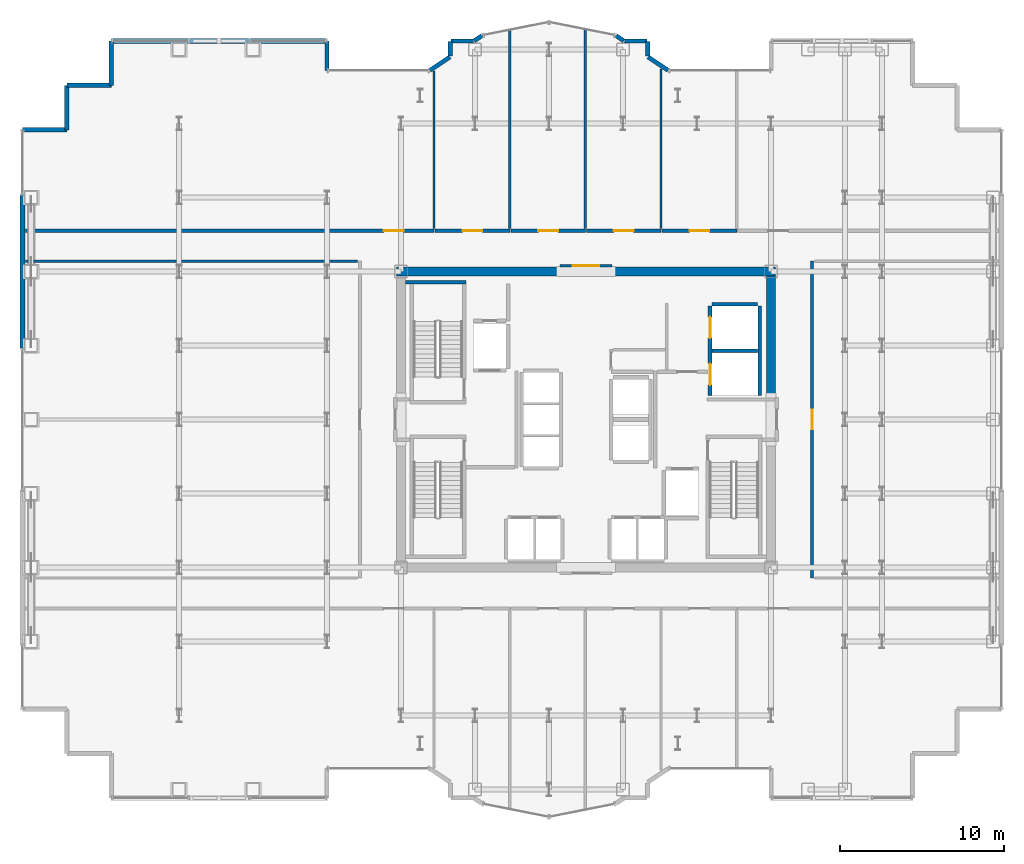
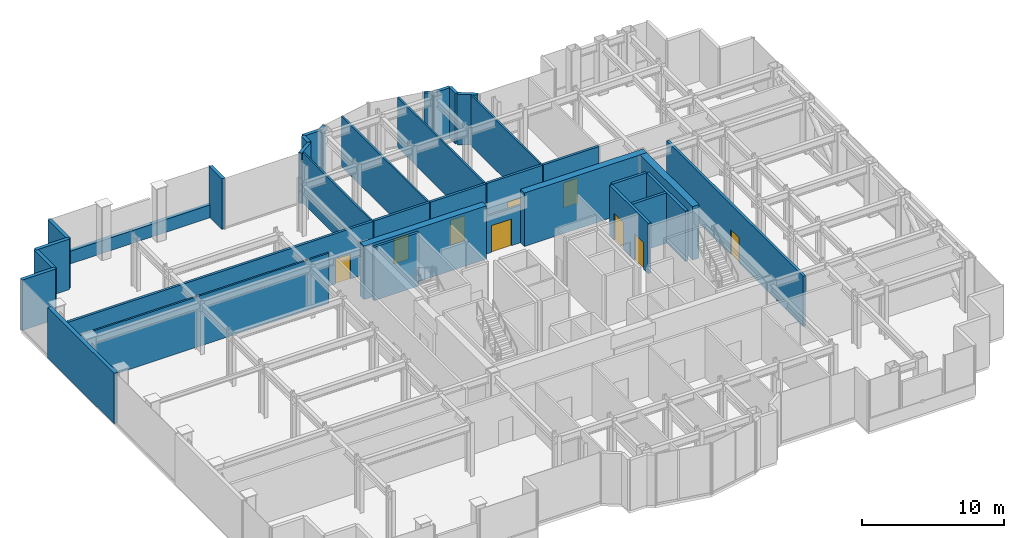
# One storey, part 22 of 26: 35 walls, 9 doors, 9 openings.
"""IFC4 building model written with IfcOpenShell, lengths in metres."""

from ifc_helpers import new_model, si_unit, direction, frame, frame_2d, origin, place, context, subcontext, project, spatial, rectangle, extrude, source, transform, mapped, material, layer, layer_set, type_object, element, fill, save


model = new_model("IFC4")

# Units and contexts
model_context = context("Model", 3, precision=1e-05, world=origin(), true_north=direction((0.0, 1.0)))
body_context = subcontext(model_context, "Body", "Model", "MODEL_VIEW")
ifc_project = project(units=[si_unit("LENGTHUNIT", "METRE"), si_unit("AREAUNIT", "SQUARE_METRE"), si_unit("VOLUMEUNIT", "CUBIC_METRE"), si_unit("PLANEANGLEUNIT", "RADIAN"), si_unit("MASSUNIT", "GRAM", prefix="KILO")], contexts=[model_context])

# Site, building, storey
site_placement = place(None, origin())
site = spatial("IfcSite", under=ifc_project, at=site_placement, CompositionType="ELEMENT")
building_placement = place(site_placement, origin())
building = spatial("IfcBuilding", under=site, at=building_placement, Name="Nefas-Gora Pilgrimage Tower", CompositionType="ELEMENT")
storey_placement = place(building_placement, frame((0.0, 0.0, 202.0)))
storey = spatial("IfcBuildingStorey", under=building, at=storey_placement, Name="L50", CompositionType="ELEMENT", Elevation=202.0)

# Walls
ifc_material_1 = material(Name="Concrete C60/75", Category="concrete")
ifc_layer_1 = layer(ifc_material_1, 0.550048828125)
ifc_layer_set_1 = layer_set([ifc_layer_1], Name="Concrete C60/75")
wall_type_1 = type_object("IfcWallType", Name="SW-CORE-550", PredefinedType="SHEAR", material=ifc_layer_set_1)
shared_shape_1 = source(origin(), body_context, "Body", "SweptSolid", [
    extrude(rectangle(XDim=9.974853515625, YDim=0.550048828125, at=frame_2d((4.9873046875, 0.0))), origin(), (0.0, 0.0, 1.0), 4.60009765625),
])
for number, where, z_axis, x_axis, name in (
    (1, (-11.52490234375, 9.0, 0.0), (0.0, 0.0, 1.0), (1.0, 0.0, 0.0), "L50 Core Shear Wall N-West"),
    (2, (1.550048828125, 9.0, 0.0), (0.0, 0.0, 1.0), (1.0, 0.0, 0.0), "L50 Core Shear Wall N-East"),
):
    element("IfcWall", number, at=place(storey_placement, frame(where, z_axis=z_axis, x_axis=x_axis)), inside=storey, type_object=wall_type_1, Name=name, PredefinedType="SHEAR", context=body_context, shape_type="MappedRepresentation", body=[
        mapped(shared_shape_1, transform((0.0, 0.0, 0.0), x_axis=(1.0, 0.0, 0.0), y_axis=(0.0, 1.0, 0.0), z_axis=(0.0, 0.0, 1.0), scale=1.0)),
    ])
shared_shape_2 = source(origin(), body_context, "Body", "SweptSolid", [
    extrude(rectangle(XDim=7.375, YDim=0.550048828125, at=frame_2d((3.6875, 0.0))), origin(), (0.0, 0.0, 1.0), 4.60009765625),
])
wall_1_placement = place(storey_placement, frame((11.25, 1.35009765625, 0.0), z_axis=(0.0, 0.0, 1.0), x_axis=(0.0, 1.0, 0.0)))
element("IfcWall", 3, at=wall_1_placement, inside=storey, type_object=wall_type_1, Name="L50 Core Shear Wall E-North", PredefinedType="SHEAR", context=body_context, shape_type="MappedRepresentation", body=[
    mapped(shared_shape_2, transform((0.0, 0.0, 0.0), x_axis=(1.0, 0.0, 0.0), y_axis=(0.0, 1.0, 0.0), z_axis=(0.0, 0.0, 1.0), scale=1.0)),
])
ifc_material_2 = material(Name="Precast concrete C45/55", Category="concrete")
ifc_layer_2 = layer(ifc_material_2, 0.239990234375)
ifc_layer_set_2 = layer_set([ifc_layer_2], Name="Precast concrete C45/55")
wall_type_2 = type_object("IfcWallType", Name="EW-SERR-240", PredefinedType="SHEAR", material=ifc_layer_set_2)
shared_shape_3 = source(origin(), body_context, "Body", "SweptSolid", [
    extrude(rectangle(XDim=9.3798828125, YDim=0.300048828125, at=frame_2d((4.68994140625, 0.0))), origin(), (0.0, 0.0, 1.0), 4.35009765625),
])
wall_2_placement = place(storey_placement, frame((-34.27001953125, 4.31005859375, 0.0), z_axis=(0.0, 0.0, 1.0), x_axis=(0.0, 1.0, 0.0)))
element("IfcWall", 4, at=wall_2_placement, inside=storey, type_object=wall_type_2, Name="L50 Belt-Truss Precast Shear Cladding 2", PredefinedType="SHEAR", context=body_context, shape_type="MappedRepresentation", body=[
    mapped(shared_shape_3, transform((0.0, 0.0, 0.0), x_axis=(1.0, 0.0, 0.0), y_axis=(0.0, 1.0, 0.0), z_axis=(0.0, 0.0, 1.0), scale=1.0)),
])
ifc_material_3 = material(Name="Precast concrete C40/50", Category="concrete")
ifc_layer_3 = layer(ifc_material_3, 0.260009765625)
ifc_layer_set_3 = layer_set([ifc_layer_3], Name="Precast concrete C40/50")
wall_type_3 = type_object("IfcWallType", Name="EW-PORTAL-260", PredefinedType="SOLIDWALL", material=ifc_layer_set_3)
shared_shape_4 = source(origin(), body_context, "Body", "SweptSolid", [
    extrude(rectangle(XDim=1.800048828125, YDim=0.260009765625, at=frame_2d((0.89990234375, 0.0))), origin(), (0.0, 0.0, 1.0), 4.35009765625),
])
wall_3_placement = place(storey_placement, frame((-15.75, 21.219970703125, 0.0), z_axis=(0.0, 0.0, 1.0), x_axis=(0.0, 1.0, 0.0)))
element("IfcWall", 5, at=wall_3_placement, inside=storey, type_object=wall_type_3, Name="L50 Lobe Shoulder Precast Spandrel Pier 25", PredefinedType="SOLIDWALL", context=body_context, shape_type="MappedRepresentation", body=[
    mapped(shared_shape_4, transform((0.0, 0.0, 0.0), x_axis=(1.0, 0.0, 0.0), y_axis=(0.0, 1.0, 0.0), z_axis=(0.0, 0.0, 1.0), scale=1.0)),
])
ifc_layer_4 = layer(ifc_material_2, 0.280029296875)
ifc_layer_set_4 = layer_set([ifc_layer_4], Name="Precast concrete C45/55")
wall_type_4 = type_object("IfcWallType", Name="EW-PLANT-280", PredefinedType="SOLIDWALL", material=ifc_layer_set_4)
shared_shape_5 = source(origin(), body_context, "Body", "SweptSolid", [
    extrude(rectangle(XDim=2.699951171875, YDim=0.280029296875, at=frame_2d((1.35009765625, 0.0))), origin(), (0.0, 0.0, 1.0), 4.35009765625),
])
for number, where, z_axis, x_axis, name in (
    (6, (-28.8701171875, 23.02001953125, 0.0), (0.0, 0.0, 1.0), (0.0, -1.0, 0.0), "L50 Serrated Corner Shear Pier Wall 27"),
    (7, (-28.8701171875, 20.320068359375, 0.0), (0.0, 0.0, 1.0), (-1.0, 0.0, 0.0), "L50 Serrated Corner Shear Pier Wall 28"),
    (8, (-31.570068359375, 20.320068359375, 0.0), (0.0, 0.0, 1.0), (0.0, -1.0, 0.0), "L50 Serrated Corner Shear Pier Wall 29"),
    (9, (-31.570068359375, 17.6201171875, 0.0), (0.0, 0.0, 1.0), (-1.0, 0.0, 0.0), "L50 Serrated Corner Shear Pier Wall 30"),
):
    element("IfcWall", number, at=place(storey_placement, frame(where, z_axis=z_axis, x_axis=x_axis)), inside=storey, type_object=wall_type_4, Name=name, PredefinedType="SOLIDWALL", context=body_context, shape_type="MappedRepresentation", body=[
        mapped(shared_shape_5, transform((0.0, 0.0, 0.0), x_axis=(1.0, 0.0, 0.0), y_axis=(0.0, 1.0, 0.0), z_axis=(0.0, 0.0, 1.0), scale=1.0)),
    ])
shared_shape_6 = source(origin(), body_context, "Body", "SweptSolid", [
    extrude(rectangle(XDim=1.468994140625, YDim=0.260009765625, at=frame_2d((0.734375, 0.0))), origin(), (0.0, 0.0, 1.0), 4.35009765625),
])
for number, where, z_axis, x_axis, name in (
    (10, (4.99462890625, 21.235595703125, 0.0), (0.0, 0.0, 1.0), (-0.831461760506, 0.555581983884, 0.0), "L50 Lobe Shoulder Precast Spandrel Pier 17"),
    (11, (-8.273193359375, 22.0517578125, 0.0), (0.0, 0.0, 1.0), (-0.831461760506, -0.555581983884, 0.0), "L50 Lobe Shoulder Precast Spandrel Pier 24"),
):
    element("IfcWall", number, at=place(storey_placement, frame(where, z_axis=z_axis, x_axis=x_axis)), inside=storey, type_object=wall_type_3, Name=name, PredefinedType="SOLIDWALL", context=body_context, shape_type="MappedRepresentation", body=[
        mapped(shared_shape_6, transform((0.0, 0.0, 0.0), x_axis=(1.0, 0.0, 0.0), y_axis=(0.0, 1.0, 0.0), z_axis=(0.0, 0.0, 1.0), scale=1.0)),
    ])
shared_shape_7 = source(origin(), body_context, "Body", "SweptSolid", [
    extrude(rectangle(XDim=0.896728515625, YDim=0.260009765625, at=frame_2d((0.4482421875, 0.0))), origin(), (0.0, 0.0, 1.0), 4.35009765625),
])
for number, where, z_axis, x_axis, name in (
    (12, (3.75, 22.09521484375, 0.0), (0.0, 0.0, 1.0), (0.0, 1.0, 0.0), "L50 Lobe Shoulder Precast Spandrel Pier 18"),
    (13, (-8.25, 22.991943359375, 0.0), (0.0, 0.0, 1.0), (0.0, -1.0, 0.0), "L50 Lobe Shoulder Precast Spandrel Pier 23"),
):
    element("IfcWall", number, at=place(storey_placement, frame(where, z_axis=z_axis, x_axis=x_axis)), inside=storey, type_object=wall_type_3, Name=name, PredefinedType="SOLIDWALL", context=body_context, shape_type="MappedRepresentation", body=[
        mapped(shared_shape_7, transform((0.0, 0.0, 0.0), x_axis=(1.0, 0.0, 0.0), y_axis=(0.0, 1.0, 0.0), z_axis=(0.0, 0.0, 1.0), scale=1.0)),
    ])
shared_shape_8 = source(origin(), body_context, "Body", "SweptSolid", [
    extrude(rectangle(XDim=1.369873046875, YDim=0.260009765625, at=frame_2d((0.68505859375, 0.0))), origin(), (0.0, 0.0, 1.0), 4.35009765625),
])
for number, where, z_axis, x_axis, name in (
    (14, (3.721923828125, 23.02001953125, 0.0), (0.0, 0.0, 1.0), (-1.0, 0.0, 0.0), "L50 Lobe Shoulder Precast Spandrel Pier 19"),
    (15, (-6.85205078125, 23.02001953125, 0.0), (0.0, 0.0, 1.0), (-1.0, 0.0, 0.0), "L50 Lobe Shoulder Precast Spandrel Pier 22"),
):
    element("IfcWall", number, at=place(storey_placement, frame(where, z_axis=z_axis, x_axis=x_axis)), inside=storey, type_object=wall_type_3, Name=name, PredefinedType="SOLIDWALL", context=body_context, shape_type="MappedRepresentation", body=[
        mapped(shared_shape_8, transform((0.0, 0.0, 0.0), x_axis=(1.0, 0.0, 0.0), y_axis=(0.0, 1.0, 0.0), z_axis=(0.0, 0.0, 1.0), scale=1.0)),
    ])
shared_shape_9 = source(origin(), body_context, "Body", "SweptSolid", [
    extrude(rectangle(XDim=0.5654296875, YDim=0.260009765625, at=frame_2d((0.28271484375, 0.0))), origin(), (0.0, 0.0, 1.0), 4.35009765625),
])
for number, where, z_axis, x_axis, name in (
    (16, (2.30078125, 23.03564453125, 0.0), (0.0, 0.0, 1.0), (-0.831651492666, 0.555297933317, 0.0), "L50 Lobe Shoulder Precast Spandrel Pier 20"),
    (17, (-6.33056640625, 23.349609375, 0.0), (0.0, 0.0, 1.0), (-0.831651492666, -0.555297933317, 0.0), "L50 Lobe Shoulder Precast Spandrel Pier 21"),
):
    element("IfcWall", number, at=place(storey_placement, frame(where, z_axis=z_axis, x_axis=x_axis)), inside=storey, type_object=wall_type_3, Name=name, PredefinedType="SOLIDWALL", context=body_context, shape_type="MappedRepresentation", body=[
        mapped(shared_shape_9, transform((0.0, 0.0, 0.0), x_axis=(1.0, 0.0, 0.0), y_axis=(0.0, 1.0, 0.0), z_axis=(0.0, 0.0, 1.0), scale=1.0)),
    ])
shared_shape_10 = source(origin(), body_context, "Body", "SweptSolid", [
    extrude(rectangle(XDim=13.1201171875, YDim=0.280029296875, at=frame_2d((6.56005859375, 0.0))), origin(), (0.0, 0.0, 1.0), 1.10009765625),
])
wall_4_placement = place(storey_placement, frame((-15.75, 23.02001953125, 0.0), z_axis=(0.0, 0.0, 1.0), x_axis=(-1.0, 0.0, 0.0)))
element("IfcWall", 18, at=wall_4_placement, inside=storey, type_object=wall_type_4, Name="L50 Plant Upstand Spandrel Wall 26", PredefinedType="SOLIDWALL", context=body_context, shape_type="MappedRepresentation", body=[
    mapped(shared_shape_10, transform((0.0, 0.0, 0.0), x_axis=(1.0, 0.0, 0.0), y_axis=(0.0, 1.0, 0.0), z_axis=(0.0, 0.0, 1.0), scale=1.0)),
])
ifc_material_4 = material(Name="Concrete C45/55", Category="concrete")
ifc_layer_5 = layer(ifc_material_4, 0.199951171875)
ifc_layer_set_5 = layer_set([ifc_layer_5], Name="Concrete C45/55")
wall_type_5 = type_object("IfcWallType", Name="IW-STAIR-200", PredefinedType="SOLIDWALL", material=ifc_layer_set_5)
shared_shape_11 = source(origin(), body_context, "Body", "SweptSolid", [
    extrude(rectangle(XDim=3.679931640625, YDim=0.199951171875, at=frame_2d((1.83984375, 0.0))), origin(), (0.0, 0.0, 1.0), 4.60009765625),
])
wall_5_placement = place(storey_placement, frame((-7.300048828125, 8.35009765625, 0.0), z_axis=(0.0, 0.0, 1.0), x_axis=(-1.0, 0.0, 0.0)))
element("IfcWall", 19, at=wall_5_placement, inside=storey, type_object=wall_type_5, Name="L50 Stairwell Shear Wall ST-01-far", PredefinedType="SOLIDWALL", context=body_context, shape_type="MappedRepresentation", body=[
    mapped(shared_shape_11, transform((0.0, 0.0, 0.0), x_axis=(1.0, 0.0, 0.0), y_axis=(0.0, 1.0, 0.0), z_axis=(0.0, 0.0, 1.0), scale=1.0)),
])

# Wall, openings, doors
ifc_material_5 = material(Name="Concrete C40/50", Category="concrete")
ifc_layer_6 = layer(ifc_material_5, 0.219970703125)
ifc_layer_set_6 = layer_set([ifc_layer_6], Name="Concrete C40/50")
wall_type_6 = type_object("IfcWallType", Name="IW-SHAFT-220", PredefinedType="SOLIDWALL", material=ifc_layer_set_6)
shared_shape_12 = source(origin(), body_context, "Body", "SweptSolid", [
    extrude(rectangle(XDim=5.449951171875, YDim=0.219970703125, at=frame_2d((2.72509765625, 0.0))), origin(), (0.0, 0.0, 1.0), 4.3349609375),
])
wall_6_placement = place(storey_placement, frame((7.5400390625, 6.89990234375, 0.0), z_axis=(0.0, 0.0, 1.0), x_axis=(0.0, -1.0, 0.0)))
wall_6 = element("IfcWall", 20, at=wall_6_placement, inside=storey, type_object=wall_type_6, Name="L50 Hoistway Wall SL-01-02-W", PredefinedType="SOLIDWALL", context=body_context, shape_type="MappedRepresentation", body=[
    mapped(shared_shape_12, transform((0.0, 0.0, 0.0), x_axis=(1.0, 0.0, 0.0), y_axis=(0.0, 1.0, 0.0), z_axis=(0.0, 0.0, 1.0), scale=1.0)),
])
opening_1_placement = place(wall_6_placement, frame((3.5, 0.0, 0.0)))
opening_1 = element("IfcOpeningElement", 21, at=opening_1_placement, cuts=wall_6, Name="Opening LD-SV", PredefinedType="OPENING", context=body_context, shape_type="SweptSolid", body=[
    extrude(rectangle(XDim=1.300048828125, YDim=2.300048828125, at=frame_2d((0.64990234375, 1.14990234375))), frame((0.0, 0.119873046875, 0.0), z_axis=(0.0, -1.0, 0.0), x_axis=(1.0, 0.0, 0.0)), (0.0, 0.0, 1.0), 0.239990234375),
])
opening_2_placement = place(wall_6_placement, frame((0.64990234375, 0.0, 0.0)))
opening_2 = element("IfcOpeningElement", 22, at=opening_2_placement, cuts=wall_6, Name="Opening LD-SV", PredefinedType="OPENING", context=body_context, shape_type="SweptSolid", body=[
    extrude(rectangle(XDim=1.300048828125, YDim=2.300048828125, at=frame_2d((0.64990234375, 1.14990234375))), frame((0.0, 0.119873046875, 0.0), z_axis=(0.0, -1.0, 0.0), x_axis=(1.0, 0.0, 0.0)), (0.0, 0.0, 1.0), 0.239990234375),
])
ifc_material_6 = material(Name="Heavy goods sliding lift landing door")
door_type_1 = type_object("IfcDoorType", Name="DR-LIFT-SERV-1300", OperationType="SLIDING_TO_RIGHT", PredefinedType="DOOR", material=ifc_material_6)
shared_shape_13 = source(origin(), body_context, "Body", "SweptSolid", [
    extrude(rectangle(XDim=1.300048828125, YDim=2.300048828125, at=frame_2d((0.64990234375, 1.14990234375))), frame((0.0, 0.02490234375, 0.0), z_axis=(0.0, -1.0, 0.0), x_axis=(1.0, 0.0, 0.0)), (0.0, 0.0, 1.0), 0.050048828125),
])
door_1_placement = place(opening_1_placement, origin())
door_1 = element("IfcDoor", 23, at=door_1_placement, inside=storey, type_object=door_type_1, Name="L50 Sliding Lift Landing Door SL-01", OperationType="SLIDING_TO_RIGHT", OverallHeight=2.300048828125, OverallWidth=1.300048828125, PredefinedType="DOOR", context=body_context, shape_type="MappedRepresentation", body=[
    mapped(shared_shape_13, transform((0.0, 0.0, 0.0), x_axis=(1.0, 0.0, 0.0), y_axis=(0.0, 1.0, 0.0), z_axis=(0.0, 0.0, 1.0), scale=1.0)),
])
fill(opening_1, door_1)
door_2_placement = place(opening_2_placement, origin())
door_2 = element("IfcDoor", 24, at=door_2_placement, inside=storey, type_object=door_type_1, Name="L50 Sliding Lift Landing Door SL-02", OperationType="SLIDING_TO_RIGHT", OverallHeight=2.300048828125, OverallWidth=1.300048828125, PredefinedType="DOOR", context=body_context, shape_type="MappedRepresentation", body=[
    mapped(shared_shape_13, transform((0.0, 0.0, 0.0), x_axis=(1.0, 0.0, 0.0), y_axis=(0.0, 1.0, 0.0), z_axis=(0.0, 0.0, 1.0), scale=1.0)),
])
fill(opening_2, door_2)

# Walls
wall_7_placement = place(storey_placement, frame((10.56005859375, 1.449951171875, 0.0), z_axis=(0.0, 0.0, 1.0), x_axis=(0.0, 1.0, 0.0)))
element("IfcWall", 25, at=wall_7_placement, inside=storey, type_object=wall_type_6, Name="L50 Hoistway Wall SL-01-02-E", PredefinedType="SOLIDWALL", context=body_context, shape_type="MappedRepresentation", body=[
    mapped(shared_shape_12, transform((0.0, 0.0, 0.0), x_axis=(1.0, 0.0, 0.0), y_axis=(0.0, 1.0, 0.0), z_axis=(0.0, 0.0, 1.0), scale=1.0)),
])
shared_shape_14 = source(origin(), body_context, "Body", "SweptSolid", [
    extrude(rectangle(XDim=2.780029296875, YDim=0.219970703125, at=frame_2d((1.39013671875, 0.0))), origin(), (0.0, 0.0, 1.0), 4.3349609375),
])
for number, where, z_axis, x_axis, name in (
    (26, (7.659912109375, 4.175048828125, 0.0), (0.0, 0.0, 1.0), (1.0, 0.0, 0.0), "L50 Hoistway Wall SL-01-02-DIV"),
    (27, (10.43994140625, 7.010009765625, 0.0), (0.0, 0.0, 1.0), (-1.0, 0.0, 0.0), "L50 Hoistway Wall SL-02-N"),
):
    element("IfcWall", number, at=place(storey_placement, frame(where, z_axis=z_axis, x_axis=x_axis)), inside=storey, type_object=wall_type_6, Name=name, PredefinedType="SOLIDWALL", context=body_context, shape_type="MappedRepresentation", body=[
        mapped(shared_shape_14, transform((0.0, 0.0, 0.0), x_axis=(1.0, 0.0, 0.0), y_axis=(0.0, 1.0, 0.0), z_axis=(0.0, 0.0, 1.0), scale=1.0)),
    ])

# Wall, opening, door
ifc_layer_7 = layer(ifc_material_5, 0.199951171875)
ifc_layer_set_7 = layer_set([ifc_layer_7], Name="Concrete C40/50")
wall_type_7 = type_object("IfcWallType", Name="IW-PLANT-200", PredefinedType="SOLIDWALL", material=ifc_layer_set_7)
shared_shape_15 = source(origin(), body_context, "Body", "SweptSolid", [
    extrude(rectangle(XDim=19.27978515625, YDim=0.199951171875, at=frame_2d((9.639892578125, 0.0))), origin(), (0.0, 0.0, 1.0), 4.3349609375),
])
wall_8_placement = place(storey_placement, frame((13.75, -9.639892578125, 0.0), z_axis=(0.0, 0.0, 1.0), x_axis=(0.0, 1.0, 0.0)))
wall_8 = element("IfcWall", 28, at=wall_8_placement, inside=storey, type_object=wall_type_7, Name="L50 Refuge Area East Partition Wall 23", PredefinedType="SOLIDWALL", context=body_context, shape_type="MappedRepresentation", body=[
    mapped(shared_shape_15, transform((0.0, 0.0, 0.0), x_axis=(1.0, 0.0, 0.0), y_axis=(0.0, 1.0, 0.0), z_axis=(0.0, 0.0, 1.0), scale=1.0)),
])
opening_3_placement = place(wall_8_placement, frame((9.0400390625, 0.0, 0.0)))
opening_3 = element("IfcOpeningElement", 29, at=opening_3_placement, cuts=wall_8, Name="Opening ID-PL1", PredefinedType="OPENING", context=body_context, shape_type="SweptSolid", body=[
    extrude(rectangle(XDim=1.199951171875, YDim=2.14990234375, at=frame_2d((0.60009765625, 1.074951171875))), frame((0.0, 0.10986328125, 0.0), z_axis=(0.0, -1.0, 0.0), x_axis=(1.0, 0.0, 0.0)), (0.0, 0.0, 1.0), 0.219970703125),
])
ifc_material_7 = material(Name="Heavy-duty steel plant room fire door", Category="steel")
door_type_2 = type_object("IfcDoorType", Name="DR-INT-PLANT-1200", OperationType="NOTDEFINED", PredefinedType="DOOR", material=ifc_material_7)
shared_shape_16 = source(origin(), body_context, "Body", "SweptSolid", [
    extrude(rectangle(XDim=1.199951171875, YDim=2.14990234375, at=frame_2d((0.60009765625, 1.074951171875))), frame((0.0, 0.02490234375, 0.0), z_axis=(0.0, -1.0, 0.0), x_axis=(1.0, 0.0, 0.0)), (0.0, 0.0, 1.0), 0.050048828125),
])
door_3_placement = place(opening_3_placement, origin())
door_3 = element("IfcDoor", 30, at=door_3_placement, inside=storey, type_object=door_type_2, Name="L50 Refuge Area East Door 9", OperationType="SINGLE_SWING_RIGHT", OverallHeight=2.14990234375, OverallWidth=1.199951171875, PredefinedType="DOOR", context=body_context, shape_type="MappedRepresentation", body=[
    mapped(shared_shape_16, transform((0.0, 0.0, 0.0), x_axis=(1.0, 0.0, 0.0), y_axis=(0.0, 1.0, 0.0), z_axis=(0.0, 0.0, 1.0), scale=1.0)),
])
fill(opening_3, door_3)

# Wall
ifc_material_8 = material(Name="Gypsum twin-stud partition")
ifc_layer_8 = layer(ifc_material_8, 0.139892578125)
ifc_layer_set_8 = layer_set([ifc_layer_8], Name="Gypsum twin-stud partition")
wall_type_8 = type_object("IfcWallType", Name="IW-UNIT-140", PredefinedType="PARTITIONING", material=ifc_layer_set_8)
shared_shape_17 = source(origin(), body_context, "Body", "SweptSolid", [
    extrude(rectangle(XDim=20.190185546875, YDim=0.139892578125, at=frame_2d((10.09521484375, 0.0))), origin(), (0.0, 0.0, 1.0), 4.3349609375),
])
wall_9_placement = place(storey_placement, frame((-34.080078125, 9.6298828125, 0.0), z_axis=(0.0, 0.0, 1.0), x_axis=(1.0, 0.0, 0.0)))
element("IfcWall", 31, at=wall_9_placement, inside=storey, type_object=wall_type_8, Name="L50 Refuge Area West Partition Wall 22", PredefinedType="PARTITIONING", context=body_context, shape_type="MappedRepresentation", body=[
    mapped(shared_shape_17, transform((0.0, 0.0, 0.0), x_axis=(1.0, 0.0, 0.0), y_axis=(0.0, 1.0, 0.0), z_axis=(0.0, 0.0, 1.0), scale=1.0)),
])

# Wall, opening, door
shared_shape_18 = source(origin(), body_context, "Body", "SweptSolid", [
    extrude(rectangle(XDim=24.85009765625, YDim=0.199951171875, at=frame_2d((12.425048828125, 0.0))), origin(), (0.0, 0.0, 1.0), 4.3349609375),
])
wall_10_placement = place(storey_placement, frame((-34.080078125, 11.489990234375, 0.0), z_axis=(0.0, 0.0, 1.0), x_axis=(1.0, 0.0, 0.0)))
wall_10 = element("IfcWall", 32, at=wall_10_placement, inside=storey, type_object=wall_type_7, Name="L50 Water-Cooled Chiller Plant Room Partition Wall 26", PredefinedType="SOLIDWALL", context=body_context, shape_type="MappedRepresentation", body=[
    mapped(shared_shape_18, transform((0.0, 0.0, 0.0), x_axis=(1.0, 0.0, 0.0), y_axis=(0.0, 1.0, 0.0), z_axis=(0.0, 0.0, 1.0), scale=1.0)),
])
opening_4_placement = place(wall_10_placement, frame((21.7861328125, 0.0, 0.0)))
opening_4 = element("IfcOpeningElement", 33, at=opening_4_placement, cuts=wall_10, Name="Opening ID-PL1", PredefinedType="OPENING", context=body_context, shape_type="SweptSolid", body=[
    extrude(rectangle(XDim=1.199951171875, YDim=2.14990234375, at=frame_2d((0.60009765625, 1.074951171875))), frame((0.0, 0.10986328125, 0.0), z_axis=(0.0, -1.0, 0.0), x_axis=(1.0, 0.0, 0.0)), (0.0, 0.0, 1.0), 0.219970703125),
])
door_4_placement = place(opening_4_placement, origin())
door_4 = element("IfcDoor", 34, at=door_4_placement, inside=storey, type_object=door_type_2, Name="L50 Water-Cooled Chiller Plant Room Door 10", OperationType="SINGLE_SWING_LEFT", OverallHeight=2.14990234375, OverallWidth=1.199951171875, PredefinedType="DOOR", context=body_context, shape_type="MappedRepresentation", body=[
    mapped(shared_shape_16, transform((0.0, 0.0, 0.0), x_axis=(1.0, 0.0, 0.0), y_axis=(0.0, 1.0, 0.0), z_axis=(0.0, 0.0, 1.0), scale=1.0)),
])
fill(opening_4, door_4)

# Wall
shared_shape_19 = source(origin(), body_context, "Body", "SweptSolid", [
    extrude(rectangle(XDim=9.573974609375, YDim=0.139892578125, at=frame_2d((4.787109375, 0.0))), origin(), (0.0, 0.0, 1.0), 4.3349609375),
])
wall_11_placement = place(storey_placement, frame((-9.239990234375, 11.6298828125, 0.0), z_axis=(0.0, 0.0, 1.0), x_axis=(0.0, 1.0, 0.0)))
element("IfcWall", 35, at=wall_11_placement, inside=storey, type_object=wall_type_8, Name="L50 Water-Cooled Chiller Plant Room Partition Wall 27", PredefinedType="PARTITIONING", context=body_context, shape_type="MappedRepresentation", body=[
    mapped(shared_shape_19, transform((0.0, 0.0, 0.0), x_axis=(1.0, 0.0, 0.0), y_axis=(0.0, 1.0, 0.0), z_axis=(0.0, 0.0, 1.0), scale=1.0)),
])

# Wall, opening, door
shared_shape_20 = source(origin(), body_context, "Body", "SweptSolid", [
    extrude(rectangle(XDim=4.5400390625, YDim=0.199951171875, at=frame_2d((2.27001953125, 0.0))), origin(), (0.0, 0.0, 1.0), 4.3349609375),
])
wall_12_placement = place(storey_placement, frame((-9.169921875, 11.489990234375, 0.0), z_axis=(0.0, 0.0, 1.0), x_axis=(1.0, 0.0, 0.0)))
wall_12 = element("IfcWall", 36, at=wall_12_placement, inside=storey, type_object=wall_type_7, Name="L50 Condenser Water Pump Plant Room Partition Wall 28", PredefinedType="SOLIDWALL", context=body_context, shape_type="MappedRepresentation", body=[
    mapped(shared_shape_20, transform((0.0, 0.0, 0.0), x_axis=(1.0, 0.0, 0.0), y_axis=(0.0, 1.0, 0.0), z_axis=(0.0, 0.0, 1.0), scale=1.0)),
])
opening_5_placement = place(wall_12_placement, frame((1.669921875, 0.0, 0.0)))
opening_5 = element("IfcOpeningElement", 37, at=opening_5_placement, cuts=wall_12, Name="Opening ID-PL1", PredefinedType="OPENING", context=body_context, shape_type="SweptSolid", body=[
    extrude(rectangle(XDim=1.199951171875, YDim=2.14990234375, at=frame_2d((0.60009765625, 1.074951171875))), frame((0.0, 0.10986328125, 0.0), z_axis=(0.0, -1.0, 0.0), x_axis=(1.0, 0.0, 0.0)), (0.0, 0.0, 1.0), 0.219970703125),
])
door_5_placement = place(opening_5_placement, origin())
door_5 = element("IfcDoor", 38, at=door_5_placement, inside=storey, type_object=door_type_2, Name="L50 Condenser Water Pump Plant Room Door 11", OperationType="SINGLE_SWING_RIGHT", OverallHeight=2.14990234375, OverallWidth=1.199951171875, PredefinedType="DOOR", context=body_context, shape_type="MappedRepresentation", body=[
    mapped(shared_shape_16, transform((0.0, 0.0, 0.0), x_axis=(1.0, 0.0, 0.0), y_axis=(0.0, 1.0, 0.0), z_axis=(0.0, 0.0, 1.0), scale=1.0)),
])
fill(opening_5, door_5)

wall_13_placement = place(storey_placement, frame((-4.570068359375, 11.489990234375, 0.0), z_axis=(0.0, 0.0, 1.0), x_axis=(1.0, 0.0, 0.0)))
wall_13 = element("IfcWall", 39, at=wall_13_placement, inside=storey, type_object=wall_type_7, Name="L50 Plate Heat Exchanger Plant Room Partition Wall 30", PredefinedType="SOLIDWALL", context=body_context, shape_type="MappedRepresentation", body=[
    mapped(shared_shape_20, transform((0.0, 0.0, 0.0), x_axis=(1.0, 0.0, 0.0), y_axis=(0.0, 1.0, 0.0), z_axis=(0.0, 0.0, 1.0), scale=1.0)),
])
opening_6_placement = place(wall_13_placement, frame((1.669921875, 0.0, 0.0)))
opening_6 = element("IfcOpeningElement", 40, at=opening_6_placement, cuts=wall_13, Name="Opening ID-PL1", PredefinedType="OPENING", context=body_context, shape_type="SweptSolid", body=[
    extrude(rectangle(XDim=1.199951171875, YDim=2.14990234375, at=frame_2d((0.60009765625, 1.074951171875))), frame((0.0, 0.10986328125, 0.0), z_axis=(0.0, -1.0, 0.0), x_axis=(1.0, 0.0, 0.0)), (0.0, 0.0, 1.0), 0.219970703125),
])
door_6_placement = place(opening_6_placement, origin())
door_6 = element("IfcDoor", 41, at=door_6_placement, inside=storey, type_object=door_type_2, Name="L50 Plate Heat Exchanger Plant Room Door 12", OperationType="SINGLE_SWING_LEFT", OverallHeight=2.14990234375, OverallWidth=1.199951171875, PredefinedType="DOOR", context=body_context, shape_type="MappedRepresentation", body=[
    mapped(shared_shape_16, transform((0.0, 0.0, 0.0), x_axis=(1.0, 0.0, 0.0), y_axis=(0.0, 1.0, 0.0), z_axis=(0.0, 0.0, 1.0), scale=1.0)),
])
fill(opening_6, door_6)

wall_14_placement = place(storey_placement, frame((0.030029296875, 11.489990234375, 0.0), z_axis=(0.0, 0.0, 1.0), x_axis=(1.0, 0.0, 0.0)))
wall_14 = element("IfcWall", 42, at=wall_14_placement, inside=storey, type_object=wall_type_7, Name="L50 High-Altitude Heat-Recovery AHU Plant Room Partition Wall 32", PredefinedType="SOLIDWALL", context=body_context, shape_type="MappedRepresentation", body=[
    mapped(shared_shape_20, transform((0.0, 0.0, 0.0), x_axis=(1.0, 0.0, 0.0), y_axis=(0.0, 1.0, 0.0), z_axis=(0.0, 0.0, 1.0), scale=1.0)),
])
opening_7_placement = place(wall_14_placement, frame((1.669921875, 0.0, 0.0)))
opening_7 = element("IfcOpeningElement", 43, at=opening_7_placement, cuts=wall_14, Name="Opening ID-PL1", PredefinedType="OPENING", context=body_context, shape_type="SweptSolid", body=[
    extrude(rectangle(XDim=1.199951171875, YDim=2.14990234375, at=frame_2d((0.60009765625, 1.074951171875))), frame((0.0, 0.10986328125, 0.0), z_axis=(0.0, -1.0, 0.0), x_axis=(1.0, 0.0, 0.0)), (0.0, 0.0, 1.0), 0.219970703125),
])
door_7_placement = place(opening_7_placement, origin())
door_7 = element("IfcDoor", 44, at=door_7_placement, inside=storey, type_object=door_type_2, Name="L50 High-Altitude Heat-Recovery AHU Plant Room Door 13", OperationType="SINGLE_SWING_RIGHT", OverallHeight=2.14990234375, OverallWidth=1.199951171875, PredefinedType="DOOR", context=body_context, shape_type="MappedRepresentation", body=[
    mapped(shared_shape_16, transform((0.0, 0.0, 0.0), x_axis=(1.0, 0.0, 0.0), y_axis=(0.0, 1.0, 0.0), z_axis=(0.0, 0.0, 1.0), scale=1.0)),
])
fill(opening_7, door_7)

wall_15_placement = place(storey_placement, frame((4.6298828125, 11.489990234375, 0.0), z_axis=(0.0, 0.0, 1.0), x_axis=(1.0, 0.0, 0.0)))
wall_15 = element("IfcWall", 45, at=wall_15_placement, inside=storey, type_object=wall_type_7, Name="L50 Building Automation and Controls Plant Room Partition Wall 34", PredefinedType="SOLIDWALL", context=body_context, shape_type="MappedRepresentation", body=[
    mapped(shared_shape_20, transform((0.0, 0.0, 0.0), x_axis=(1.0, 0.0, 0.0), y_axis=(0.0, 1.0, 0.0), z_axis=(0.0, 0.0, 1.0), scale=1.0)),
])
opening_8_placement = place(wall_15_placement, frame((1.669921875, 0.0, 0.0)))
opening_8 = element("IfcOpeningElement", 46, at=opening_8_placement, cuts=wall_15, Name="Opening ID-PL1", PredefinedType="OPENING", context=body_context, shape_type="SweptSolid", body=[
    extrude(rectangle(XDim=1.199951171875, YDim=2.14990234375, at=frame_2d((0.60009765625, 1.074951171875))), frame((0.0, 0.10986328125, 0.0), z_axis=(0.0, -1.0, 0.0), x_axis=(1.0, 0.0, 0.0)), (0.0, 0.0, 1.0), 0.219970703125),
])
door_8_placement = place(opening_8_placement, origin())
door_8 = element("IfcDoor", 47, at=door_8_placement, inside=storey, type_object=door_type_2, Name="L50 Building Automation and Controls Plant Room Door 14", OperationType="SINGLE_SWING_LEFT", OverallHeight=2.14990234375, OverallWidth=1.199951171875, PredefinedType="DOOR", context=body_context, shape_type="MappedRepresentation", body=[
    mapped(shared_shape_16, transform((0.0, 0.0, 0.0), x_axis=(1.0, 0.0, 0.0), y_axis=(0.0, 1.0, 0.0), z_axis=(0.0, 0.0, 1.0), scale=1.0)),
])
fill(opening_8, door_8)

# Walls
shared_shape_21 = source(origin(), body_context, "Body", "SweptSolid", [
    extrude(rectangle(XDim=12.103515625, YDim=0.139892578125, at=frame_2d((6.0517578125, 0.0))), origin(), (0.0, 0.0, 1.0), 4.3349609375),
])
wall_16_placement = place(storey_placement, frame((-4.639892578125, 11.6298828125, 0.0), z_axis=(0.0, 0.0, 1.0), x_axis=(0.0, 1.0, 0.0)))
element("IfcWall", 48, at=wall_16_placement, inside=storey, type_object=wall_type_8, Name="L50 Condenser Water Pump Plant Room Partition Wall 29", PredefinedType="PARTITIONING", context=body_context, shape_type="MappedRepresentation", body=[
    mapped(shared_shape_21, transform((0.0, 0.0, 0.0), x_axis=(1.0, 0.0, 0.0), y_axis=(0.0, 1.0, 0.0), z_axis=(0.0, 0.0, 1.0), scale=1.0)),
])
shared_shape_22 = source(origin(), body_context, "Body", "SweptSolid", [
    extrude(rectangle(XDim=12.123291015625, YDim=0.139892578125, at=frame_2d((6.0615234375, 0.0))), origin(), (0.0, 0.0, 1.0), 4.3349609375),
])
wall_17_placement = place(storey_placement, frame((-0.0400390625, 11.6298828125, 0.0), z_axis=(0.0, 0.0, 1.0), x_axis=(0.0, 1.0, 0.0)))
element("IfcWall", 49, at=wall_17_placement, inside=storey, type_object=wall_type_8, Name="L50 Plate Heat Exchanger Plant Room Partition Wall 31", PredefinedType="PARTITIONING", context=body_context, shape_type="MappedRepresentation", body=[
    mapped(shared_shape_22, transform((0.0, 0.0, 0.0), x_axis=(1.0, 0.0, 0.0), y_axis=(0.0, 1.0, 0.0), z_axis=(0.0, 0.0, 1.0), scale=1.0)),
])
shared_shape_23 = source(origin(), body_context, "Body", "SweptSolid", [
    extrude(rectangle(XDim=9.694091796875, YDim=0.139892578125, at=frame_2d((4.84716796875, 0.0))), origin(), (0.0, 0.0, 1.0), 4.3349609375),
])
wall_18_placement = place(storey_placement, frame((4.56005859375, 11.6298828125, 0.0), z_axis=(0.0, 0.0, 1.0), x_axis=(0.0, 1.0, 0.0)))
element("IfcWall", 50, at=wall_18_placement, inside=storey, type_object=wall_type_8, Name="L50 High-Altitude Heat-Recovery AHU Plant Room Partition Wall 33", PredefinedType="PARTITIONING", context=body_context, shape_type="MappedRepresentation", body=[
    mapped(shared_shape_23, transform((0.0, 0.0, 0.0), x_axis=(1.0, 0.0, 0.0), y_axis=(0.0, 1.0, 0.0), z_axis=(0.0, 0.0, 1.0), scale=1.0)),
])

# Wall, opening, door
ifc_material_9 = material(Name="Gypsum acoustic stud partition")
ifc_layer_9 = layer(ifc_material_9, 0.159912109375)
ifc_layer_set_9 = layer_set([ifc_layer_9], Name="Gypsum acoustic stud partition")
wall_type_9 = type_object("IfcWallType", Name="IW-CORR-160", PredefinedType="PARTITIONING", material=ifc_layer_set_9)
shared_shape_24 = source(origin(), body_context, "Body", "SweptSolid", [
    extrude(rectangle(XDim=3.16015625, YDim=0.159912109375, at=frame_2d((1.580078125, 0.0))), origin(), (0.0, 0.0, 1.0), 3.22509765625),
])
wall_19_placement = place(storey_placement, frame((-1.580078125, 9.35009765625, 0.0), z_axis=(0.0, 0.0, 1.0), x_axis=(1.0, 0.0, 0.0)))
wall_19 = element("IfcWall", 51, at=wall_19_placement, inside=storey, type_object=wall_type_9, Name="L50 Central Lift Lobby North Portal Wall 15", PredefinedType="PARTITIONING", context=body_context, shape_type="MappedRepresentation", body=[
    mapped(shared_shape_24, transform((0.0, 0.0, 0.0), x_axis=(1.0, 0.0, 0.0), y_axis=(0.0, 1.0, 0.0), z_axis=(0.0, 0.0, 1.0), scale=1.0)),
])
opening_9_placement = place(wall_19_placement, frame((0.780029296875, 0.0, 0.0)))
opening_9 = element("IfcOpeningElement", 52, at=opening_9_placement, cuts=wall_19, Name="Opening ID-HL1", PredefinedType="OPENING", context=body_context, shape_type="SweptSolid", body=[
    extrude(rectangle(XDim=1.60009765625, YDim=2.300048828125, at=frame_2d((0.800048828125, 1.14990234375))), frame((0.0, 0.08984375, 0.0), z_axis=(0.0, -1.0, 0.0), x_axis=(1.0, 0.0, 0.0)), (0.0, 0.0, 1.0), 0.179931640625),
])
ifc_material_10 = material(Name="Double acoustic timber assembly hall door", Category="wood")
door_type_3 = type_object("IfcDoorType", Name="DR-INT-HALL-1600", OperationType="DOUBLE_DOOR_SINGLE_SWING", PredefinedType="DOOR", material=ifc_material_10)
shared_shape_25 = source(origin(), body_context, "Body", "SweptSolid", [
    extrude(rectangle(XDim=1.60009765625, YDim=2.300048828125, at=frame_2d((0.800048828125, 1.14990234375))), frame((0.0, 0.02490234375, 0.0), z_axis=(0.0, -1.0, 0.0), x_axis=(1.0, 0.0, 0.0)), (0.0, 0.0, 1.0), 0.050048828125),
])
door_9_placement = place(opening_9_placement, origin())
door_9 = element("IfcDoor", 53, at=door_9_placement, inside=storey, type_object=door_type_3, Name="L50 Central Lift Lobby North Portal Door 5", OperationType="DOUBLE_DOOR_SINGLE_SWING", OverallHeight=2.300048828125, OverallWidth=1.60009765625, PredefinedType="DOOR", context=body_context, shape_type="MappedRepresentation", body=[
    mapped(shared_shape_25, transform((0.0, 0.0, 0.0), x_axis=(1.0, 0.0, 0.0), y_axis=(0.0, 1.0, 0.0), z_axis=(0.0, 0.0, 1.0), scale=1.0)),
])
fill(opening_9, door_9)

save(model, "model.ifc")
